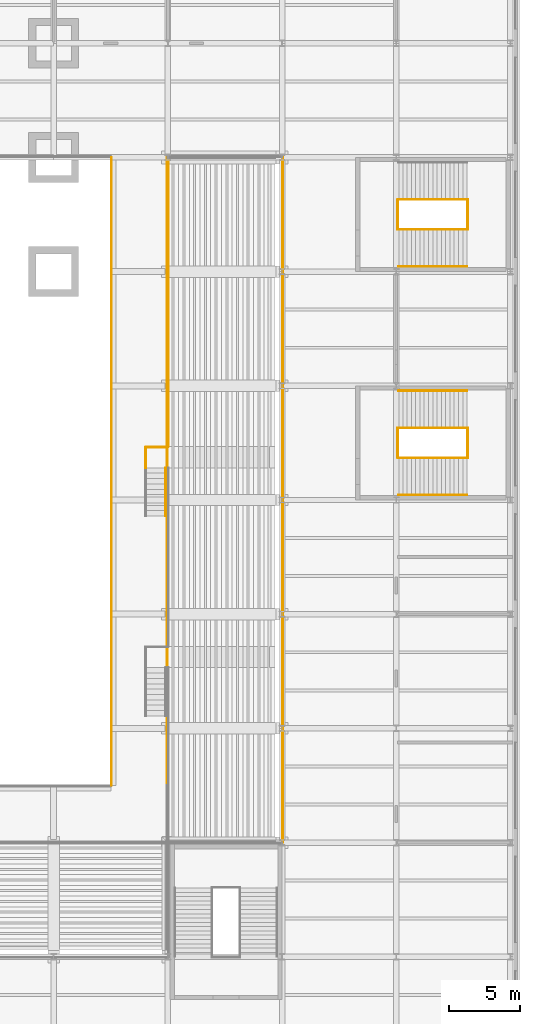
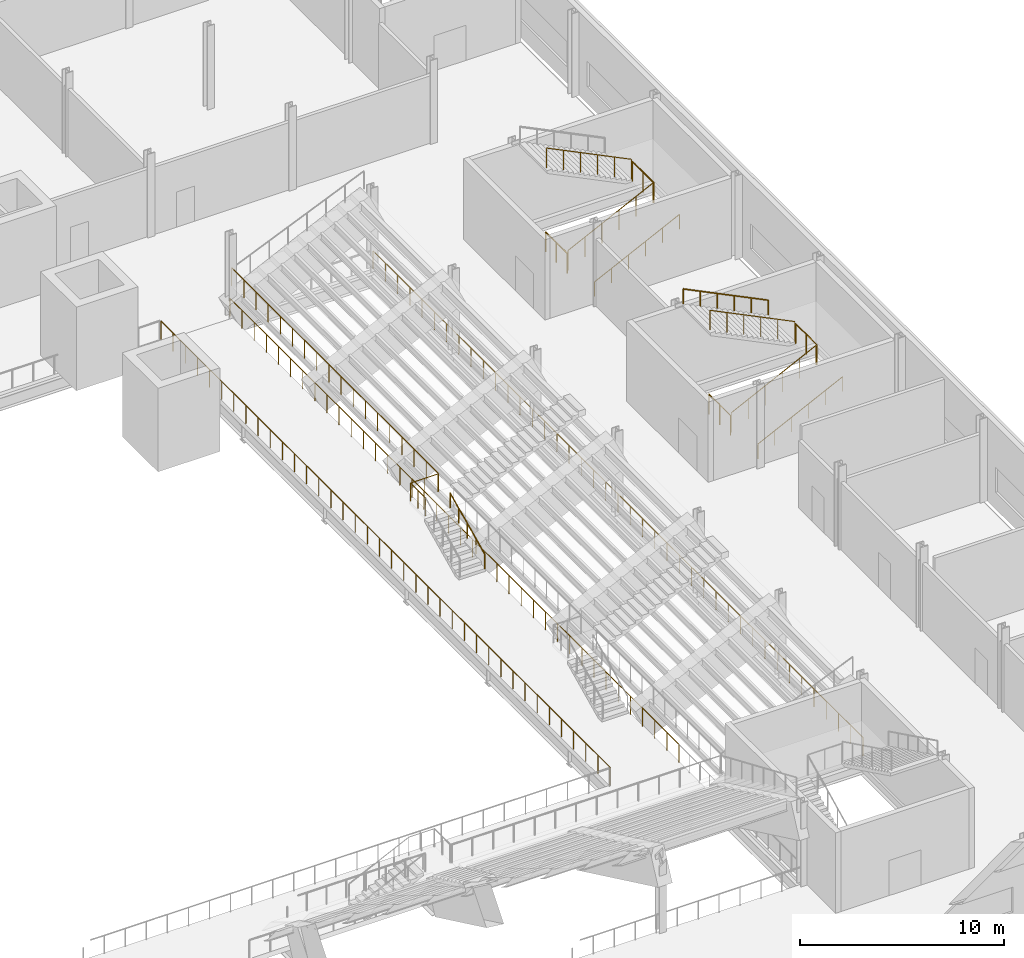
# One storey, part 24 of 27: 18 railings.
"""IFC4 building model written with IfcOpenShell, lengths in metres."""

from ifc_helpers import new_model, si_unit, direction, frame, origin, origin_2d, place, context, subcontext, project, spatial, circle, extrude, material, type_object, element, save


model = new_model("IFC4")

# Units and contexts
model_context = context("Model", 3, precision=1e-05, world=origin(), true_north=direction((0.0, 1.0)))
body_context = subcontext(model_context, "Body", "Model", "MODEL_VIEW")
ifc_project = project(units=[si_unit("LENGTHUNIT", "METRE"), si_unit("AREAUNIT", "SQUARE_METRE"), si_unit("VOLUMEUNIT", "CUBIC_METRE"), si_unit("PLANEANGLEUNIT", "RADIAN"), si_unit("MASSUNIT", "GRAM", prefix="KILO")], contexts=[model_context])

# Site, building, storey
site_placement = place(None, origin())
site = spatial("IfcSite", under=ifc_project, at=site_placement, CompositionType="ELEMENT")
building_placement = place(site_placement, origin())
building = spatial("IfcBuilding", under=site, at=building_placement, Name="Daluyong Arena Tower", CompositionType="ELEMENT")
storey_placement = place(building_placement, frame((0.0, 0.0, 14.89990234375)))
storey = spatial("IfcBuildingStorey", under=building, at=storey_placement, Name="L03", CompositionType="ELEMENT", Elevation=14.89990234375)

# Railings
ifc_material_1 = material(Name="Steel guard with glass infill", Category="steel")
railing_type_1 = type_object("IfcRailingType", Name="Bowl front guard 1100", PredefinedType="GUARDRAIL", material=ifc_material_1)
railing_1_placement = place(storey_placement, frame((88.050048828125, 43.75, 1.785888671875)))
element("IfcRailing", 1, at=railing_1_placement, inside=storey, type_object=railing_type_1, Name="bowl guard", PredefinedType="GUARDRAIL", context=body_context, shape_type="SweptSolid", body=[
    extrude(circle(Radius=0.02392578125, at=origin_2d()), frame((0.0, 0.0, 1.076171875), z_axis=(0.0, 1.0, 0.0), x_axis=(-1.0, 0.0, 0.0)), (0.0, 0.0, 1.0), 20.25),
    extrude(circle(Radius=0.02099609375, at=origin_2d()), origin(), (0.0, 0.0, 1.0), 1.052001953125),
    extrude(circle(Radius=0.02099609375, at=origin_2d()), frame((0.0, 1.191162109375, 0.0)), (0.0, 0.0, 1.0), 1.052001953125),
    extrude(circle(Radius=0.02099609375, at=origin_2d()), frame((0.0, 2.38232421875, 0.0)), (0.0, 0.0, 1.0), 1.052001953125),
    extrude(circle(Radius=0.02099609375, at=origin_2d()), frame((0.0, 3.573486328125, 0.0)), (0.0, 0.0, 1.0), 1.052001953125),
    extrude(circle(Radius=0.02099609375, at=origin_2d()), frame((0.0, 4.7646484375, 0.0)), (0.0, 0.0, 1.0), 1.052001953125),
    extrude(circle(Radius=0.02099609375, at=origin_2d()), frame((0.0, 5.955810546875, 0.0)), (0.0, 0.0, 1.0), 1.052001953125),
    extrude(circle(Radius=0.02099609375, at=origin_2d()), frame((0.0, 7.14697265625, 0.0)), (0.0, 0.0, 1.0), 1.052001953125),
    extrude(circle(Radius=0.02099609375, at=origin_2d()), frame((0.0, 8.338134765625, 0.0)), (0.0, 0.0, 1.0), 1.052001953125),
    extrude(circle(Radius=0.02099609375, at=origin_2d()), frame((0.0, 9.529296875, 0.0)), (0.0, 0.0, 1.0), 1.052001953125),
    extrude(circle(Radius=0.02099609375, at=origin_2d()), frame((0.0, 10.720703125, 0.0)), (0.0, 0.0, 1.0), 1.052001953125),
    extrude(circle(Radius=0.02099609375, at=origin_2d()), frame((0.0, 11.911865234375, 0.0)), (0.0, 0.0, 1.0), 1.052001953125),
    extrude(circle(Radius=0.02099609375, at=origin_2d()), frame((0.0, 13.10302734375, 0.0)), (0.0, 0.0, 1.0), 1.052001953125),
    extrude(circle(Radius=0.02099609375, at=origin_2d()), frame((0.0, 14.294189453125, 0.0)), (0.0, 0.0, 1.0), 1.052001953125),
    extrude(circle(Radius=0.02099609375, at=origin_2d()), frame((0.0, 15.4853515625, 0.0)), (0.0, 0.0, 1.0), 1.052001953125),
    extrude(circle(Radius=0.02099609375, at=origin_2d()), frame((0.0, 16.676513671875, 0.0)), (0.0, 0.0, 1.0), 1.052001953125),
    extrude(circle(Radius=0.02099609375, at=origin_2d()), frame((0.0, 17.86767578125, 0.0)), (0.0, 0.0, 1.0), 1.052001953125),
    extrude(circle(Radius=0.02099609375, at=origin_2d()), frame((0.0, 19.058837890625, 0.0)), (0.0, 0.0, 1.0), 1.052001953125),
    extrude(circle(Radius=0.02099609375, at=origin_2d()), frame((0.0, 20.25, 0.0)), (0.0, 0.0, 1.0), 1.052001953125),
])
ifc_material_2 = material(Name="Steel guard with glass infill", Category="steel")
railing_type_2 = type_object("IfcRailingType", Name="Floor edge guard 1100", PredefinedType="GUARDRAIL", material=ifc_material_2)
railing_2_placement = place(storey_placement, frame((87.949951171875, 20.0, 0.0)))
element("IfcRailing", 2, at=railing_2_placement, inside=storey, type_object=railing_type_2, Name="floor edge guard L03", PredefinedType="GUARDRAIL", context=body_context, shape_type="SweptSolid", body=[
    extrude(circle(Radius=0.02392578125, at=origin_2d()), frame((0.0, 0.0, 1.076171875), z_axis=(0.0, 1.0, 0.0), x_axis=(-1.0, 0.0, 0.0)), (0.0, 0.0, 1.0), 44.0),
    extrude(circle(Radius=0.02099609375, at=origin_2d()), origin(), (0.0, 0.0, 1.0), 1.052001953125),
    extrude(circle(Radius=0.02099609375, at=origin_2d()), frame((0.0, 1.189208984375, 0.0)), (0.0, 0.0, 1.0), 1.052001953125),
    extrude(circle(Radius=0.02099609375, at=origin_2d()), frame((0.0, 2.37841796875, 0.0)), (0.0, 0.0, 1.0), 1.052001953125),
    extrude(circle(Radius=0.02099609375, at=origin_2d()), frame((0.0, 3.567626953125, 0.0)), (0.0, 0.0, 1.0), 1.052001953125),
    extrude(circle(Radius=0.02099609375, at=origin_2d()), frame((0.0, 4.7568359375, 0.0)), (0.0, 0.0, 1.0), 1.052001953125),
    extrude(circle(Radius=0.02099609375, at=origin_2d()), frame((0.0, 5.946044921875, 0.0)), (0.0, 0.0, 1.0), 1.052001953125),
    extrude(circle(Radius=0.02099609375, at=origin_2d()), frame((0.0, 7.13525390625, 0.0)), (0.0, 0.0, 1.0), 1.052001953125),
    extrude(circle(Radius=0.02099609375, at=origin_2d()), frame((0.0, 8.32421875, 0.0)), (0.0, 0.0, 1.0), 1.052001953125),
    extrude(circle(Radius=0.02099609375, at=origin_2d()), frame((0.0, 9.513427734375, 0.0)), (0.0, 0.0, 1.0), 1.052001953125),
    extrude(circle(Radius=0.02099609375, at=origin_2d()), frame((0.0, 10.70263671875, 0.0)), (0.0, 0.0, 1.0), 1.052001953125),
    extrude(circle(Radius=0.02099609375, at=origin_2d()), frame((0.0, 11.891845703125, 0.0)), (0.0, 0.0, 1.0), 1.052001953125),
    extrude(circle(Radius=0.02099609375, at=origin_2d()), frame((0.0, 13.0810546875, 0.0)), (0.0, 0.0, 1.0), 1.052001953125),
    extrude(circle(Radius=0.02099609375, at=origin_2d()), frame((0.0, 14.270263671875, 0.0)), (0.0, 0.0, 1.0), 1.052001953125),
    extrude(circle(Radius=0.02099609375, at=origin_2d()), frame((0.0, 15.45947265625, 0.0)), (0.0, 0.0, 1.0), 1.052001953125),
    extrude(circle(Radius=0.02099609375, at=origin_2d()), frame((0.0, 16.648681640625, 0.0)), (0.0, 0.0, 1.0), 1.052001953125),
    extrude(circle(Radius=0.02099609375, at=origin_2d()), frame((0.0, 17.837890625, 0.0)), (0.0, 0.0, 1.0), 1.052001953125),
    extrude(circle(Radius=0.02099609375, at=origin_2d()), frame((0.0, 19.027099609375, 0.0)), (0.0, 0.0, 1.0), 1.052001953125),
    extrude(circle(Radius=0.02099609375, at=origin_2d()), frame((0.0, 20.21630859375, 0.0)), (0.0, 0.0, 1.0), 1.052001953125),
    extrude(circle(Radius=0.02099609375, at=origin_2d()), frame((0.0, 21.405517578125, 0.0)), (0.0, 0.0, 1.0), 1.052001953125),
    extrude(circle(Radius=0.02099609375, at=origin_2d()), frame((0.0, 22.594482421875, 0.0)), (0.0, 0.0, 1.0), 1.052001953125),
    extrude(circle(Radius=0.02099609375, at=origin_2d()), frame((0.0, 23.78369140625, 0.0)), (0.0, 0.0, 1.0), 1.052001953125),
    extrude(circle(Radius=0.02099609375, at=origin_2d()), frame((0.0, 24.972900390625, 0.0)), (0.0, 0.0, 1.0), 1.052001953125),
    extrude(circle(Radius=0.02099609375, at=origin_2d()), frame((0.0, 26.162109375, 0.0)), (0.0, 0.0, 1.0), 1.052001953125),
    extrude(circle(Radius=0.02099609375, at=origin_2d()), frame((0.0, 27.351318359375, 0.0)), (0.0, 0.0, 1.0), 1.052001953125),
    extrude(circle(Radius=0.02099609375, at=origin_2d()), frame((0.0, 28.54052734375, 0.0)), (0.0, 0.0, 1.0), 1.052001953125),
    extrude(circle(Radius=0.02099609375, at=origin_2d()), frame((0.0, 29.729736328125, 0.0)), (0.0, 0.0, 1.0), 1.052001953125),
    extrude(circle(Radius=0.02099609375, at=origin_2d()), frame((0.0, 30.9189453125, 0.0)), (0.0, 0.0, 1.0), 1.052001953125),
    extrude(circle(Radius=0.02099609375, at=origin_2d()), frame((0.0, 32.108154296875, 0.0)), (0.0, 0.0, 1.0), 1.052001953125),
    extrude(circle(Radius=0.02099609375, at=origin_2d()), frame((0.0, 33.29736328125, 0.0)), (0.0, 0.0, 1.0), 1.052001953125),
    extrude(circle(Radius=0.02099609375, at=origin_2d()), frame((0.0, 34.486572265625, 0.0)), (0.0, 0.0, 1.0), 1.052001953125),
    extrude(circle(Radius=0.02099609375, at=origin_2d()), frame((0.0, 35.67578125, 0.0)), (0.0, 0.0, 1.0), 1.052001953125),
    extrude(circle(Radius=0.02099609375, at=origin_2d()), frame((0.0, 36.86474609375, 0.0)), (0.0, 0.0, 1.0), 1.052001953125),
    extrude(circle(Radius=0.02099609375, at=origin_2d()), frame((0.0, 38.053955078125, 0.0)), (0.0, 0.0, 1.0), 1.052001953125),
    extrude(circle(Radius=0.02099609375, at=origin_2d()), frame((0.0, 39.2431640625, 0.0)), (0.0, 0.0, 1.0), 1.052001953125),
    extrude(circle(Radius=0.02099609375, at=origin_2d()), frame((0.0, 40.432373046875, 0.0)), (0.0, 0.0, 1.0), 1.052001953125),
    extrude(circle(Radius=0.02099609375, at=origin_2d()), frame((0.0, 41.62158203125, 0.0)), (0.0, 0.0, 1.0), 1.052001953125),
    extrude(circle(Radius=0.02099609375, at=origin_2d()), frame((0.0, 42.810791015625, 0.0)), (0.0, 0.0, 1.0), 1.052001953125),
    extrude(circle(Radius=0.02099609375, at=origin_2d()), frame((0.0, 44.0, 0.0)), (0.0, 0.0, 1.0), 1.052001953125),
])
railing_3_placement = place(storey_placement, frame((96.050048828125, 64.0, 0.0)))
element("IfcRailing", 3, at=railing_3_placement, inside=storey, type_object=railing_type_2, Name="floor edge guard L03", PredefinedType="GUARDRAIL", context=body_context, shape_type="SweptSolid", body=[
    extrude(circle(Radius=0.02392578125, at=origin_2d()), frame((0.0, 0.0, 1.076171875), z_axis=(0.0, -1.0, 0.0), x_axis=(1.0, 0.0, 0.0)), (0.0, 0.0, 1.0), 48.0),
    extrude(circle(Radius=0.02099609375, at=origin_2d()), origin(), (0.0, 0.0, 1.0), 1.052001953125),
    extrude(circle(Radius=0.02099609375, at=origin_2d()), frame((0.0, -1.199951171875, 0.0)), (0.0, 0.0, 1.0), 1.052001953125),
    extrude(circle(Radius=0.02099609375, at=origin_2d()), frame((0.0, -2.39990234375, 0.0)), (0.0, 0.0, 1.0), 1.052001953125),
    extrude(circle(Radius=0.02099609375, at=origin_2d()), frame((0.0, -3.60009765625, 0.0)), (0.0, 0.0, 1.0), 1.052001953125),
    extrude(circle(Radius=0.02099609375, at=origin_2d()), frame((0.0, -4.800048828125, 0.0)), (0.0, 0.0, 1.0), 1.052001953125),
    extrude(circle(Radius=0.02099609375, at=origin_2d()), frame((0.0, -6.0, 0.0)), (0.0, 0.0, 1.0), 1.052001953125),
    extrude(circle(Radius=0.02099609375, at=origin_2d()), frame((0.0, -7.199951171875, 0.0)), (0.0, 0.0, 1.0), 1.052001953125),
    extrude(circle(Radius=0.02099609375, at=origin_2d()), frame((0.0, -8.39990234375, 0.0)), (0.0, 0.0, 1.0), 1.052001953125),
    extrude(circle(Radius=0.02099609375, at=origin_2d()), frame((0.0, -9.60009765625, 0.0)), (0.0, 0.0, 1.0), 1.052001953125),
    extrude(circle(Radius=0.02099609375, at=origin_2d()), frame((0.0, -10.800048828125, 0.0)), (0.0, 0.0, 1.0), 1.052001953125),
    extrude(circle(Radius=0.02099609375, at=origin_2d()), frame((0.0, -12.0, 0.0)), (0.0, 0.0, 1.0), 1.052001953125),
    extrude(circle(Radius=0.02099609375, at=origin_2d()), frame((0.0, -13.199951171875, 0.0)), (0.0, 0.0, 1.0), 1.052001953125),
    extrude(circle(Radius=0.02099609375, at=origin_2d()), frame((0.0, -14.39990234375, 0.0)), (0.0, 0.0, 1.0), 1.052001953125),
    extrude(circle(Radius=0.02099609375, at=origin_2d()), frame((0.0, -15.60009765625, 0.0)), (0.0, 0.0, 1.0), 1.052001953125),
    extrude(circle(Radius=0.02099609375, at=origin_2d()), frame((0.0, -16.800048828125, 0.0)), (0.0, 0.0, 1.0), 1.052001953125),
    extrude(circle(Radius=0.02099609375, at=origin_2d()), frame((0.0, -18.0, 0.0)), (0.0, 0.0, 1.0), 1.052001953125),
    extrude(circle(Radius=0.02099609375, at=origin_2d()), frame((0.0, -19.199951171875, 0.0)), (0.0, 0.0, 1.0), 1.052001953125),
    extrude(circle(Radius=0.02099609375, at=origin_2d()), frame((0.0, -20.39990234375, 0.0)), (0.0, 0.0, 1.0), 1.052001953125),
    extrude(circle(Radius=0.02099609375, at=origin_2d()), frame((0.0, -21.60009765625, 0.0)), (0.0, 0.0, 1.0), 1.052001953125),
    extrude(circle(Radius=0.02099609375, at=origin_2d()), frame((0.0, -22.800048828125, 0.0)), (0.0, 0.0, 1.0), 1.052001953125),
    extrude(circle(Radius=0.02099609375, at=origin_2d()), frame((0.0, -24.0, 0.0)), (0.0, 0.0, 1.0), 1.052001953125),
    extrude(circle(Radius=0.02099609375, at=origin_2d()), frame((0.0, -25.199951171875, 0.0)), (0.0, 0.0, 1.0), 1.052001953125),
    extrude(circle(Radius=0.02099609375, at=origin_2d()), frame((0.0, -26.39990234375, 0.0)), (0.0, 0.0, 1.0), 1.052001953125),
    extrude(circle(Radius=0.02099609375, at=origin_2d()), frame((0.0, -27.60009765625, 0.0)), (0.0, 0.0, 1.0), 1.052001953125),
    extrude(circle(Radius=0.02099609375, at=origin_2d()), frame((0.0, -28.800048828125, 0.0)), (0.0, 0.0, 1.0), 1.052001953125),
    extrude(circle(Radius=0.02099609375, at=origin_2d()), frame((0.0, -30.0, 0.0)), (0.0, 0.0, 1.0), 1.052001953125),
    extrude(circle(Radius=0.02099609375, at=origin_2d()), frame((0.0, -31.199951171875, 0.0)), (0.0, 0.0, 1.0), 1.052001953125),
    extrude(circle(Radius=0.02099609375, at=origin_2d()), frame((0.0, -32.39990234375, 0.0)), (0.0, 0.0, 1.0), 1.052001953125),
    extrude(circle(Radius=0.02099609375, at=origin_2d()), frame((0.0, -33.60009765625, 0.0)), (0.0, 0.0, 1.0), 1.052001953125),
    extrude(circle(Radius=0.02099609375, at=origin_2d()), frame((0.0, -34.800048828125, 0.0)), (0.0, 0.0, 1.0), 1.052001953125),
    extrude(circle(Radius=0.02099609375, at=origin_2d()), frame((0.0, -36.0, 0.0)), (0.0, 0.0, 1.0), 1.052001953125),
    extrude(circle(Radius=0.02099609375, at=origin_2d()), frame((0.0, -37.199951171875, 0.0)), (0.0, 0.0, 1.0), 1.052001953125),
    extrude(circle(Radius=0.02099609375, at=origin_2d()), frame((0.0, -38.39990234375, 0.0)), (0.0, 0.0, 1.0), 1.052001953125),
    extrude(circle(Radius=0.02099609375, at=origin_2d()), frame((0.0, -39.60009765625, 0.0)), (0.0, 0.0, 1.0), 1.052001953125),
    extrude(circle(Radius=0.02099609375, at=origin_2d()), frame((0.0, -40.800048828125, 0.0)), (0.0, 0.0, 1.0), 1.052001953125),
    extrude(circle(Radius=0.02099609375, at=origin_2d()), frame((0.0, -42.0, 0.0)), (0.0, 0.0, 1.0), 1.052001953125),
    extrude(circle(Radius=0.02099609375, at=origin_2d()), frame((0.0, -43.199951171875, 0.0)), (0.0, 0.0, 1.0), 1.052001953125),
    extrude(circle(Radius=0.02099609375, at=origin_2d()), frame((0.0, -44.39990234375, 0.0)), (0.0, 0.0, 1.0), 1.052001953125),
    extrude(circle(Radius=0.02099609375, at=origin_2d()), frame((0.0, -45.60009765625, 0.0)), (0.0, 0.0, 1.0), 1.052001953125),
    extrude(circle(Radius=0.02099609375, at=origin_2d()), frame((0.0, -46.800048828125, 0.0)), (0.0, 0.0, 1.0), 1.052001953125),
    extrude(circle(Radius=0.02099609375, at=origin_2d()), frame((0.0, -48.0, 0.0)), (0.0, 0.0, 1.0), 1.052001953125),
])
railing_4_placement = place(storey_placement, frame((84.050048828125, 64.0, 0.0)))
element("IfcRailing", 4, at=railing_4_placement, inside=storey, type_object=railing_type_2, Name="floor edge guard L03", PredefinedType="GUARDRAIL", context=body_context, shape_type="SweptSolid", body=[
    extrude(circle(Radius=0.02392578125, at=origin_2d()), frame((0.0, 0.0, 1.076171875), z_axis=(0.0, -1.0, 0.0), x_axis=(1.0, 0.0, 0.0)), (0.0, 0.0, 1.0), 44.0),
    extrude(circle(Radius=0.02099609375, at=origin_2d()), origin(), (0.0, 0.0, 1.0), 1.052001953125),
    extrude(circle(Radius=0.02099609375, at=origin_2d()), frame((0.0, -1.189208984375, 0.0)), (0.0, 0.0, 1.0), 1.052001953125),
    extrude(circle(Radius=0.02099609375, at=origin_2d()), frame((0.0, -2.37841796875, 0.0)), (0.0, 0.0, 1.0), 1.052001953125),
    extrude(circle(Radius=0.02099609375, at=origin_2d()), frame((0.0, -3.567626953125, 0.0)), (0.0, 0.0, 1.0), 1.052001953125),
    extrude(circle(Radius=0.02099609375, at=origin_2d()), frame((0.0, -4.7568359375, 0.0)), (0.0, 0.0, 1.0), 1.052001953125),
    extrude(circle(Radius=0.02099609375, at=origin_2d()), frame((0.0, -5.946044921875, 0.0)), (0.0, 0.0, 1.0), 1.052001953125),
    extrude(circle(Radius=0.02099609375, at=origin_2d()), frame((0.0, -7.13525390625, 0.0)), (0.0, 0.0, 1.0), 1.052001953125),
    extrude(circle(Radius=0.02099609375, at=origin_2d()), frame((0.0, -8.32421875, 0.0)), (0.0, 0.0, 1.0), 1.052001953125),
    extrude(circle(Radius=0.02099609375, at=origin_2d()), frame((0.0, -9.513427734375, 0.0)), (0.0, 0.0, 1.0), 1.052001953125),
    extrude(circle(Radius=0.02099609375, at=origin_2d()), frame((0.0, -10.70263671875, 0.0)), (0.0, 0.0, 1.0), 1.052001953125),
    extrude(circle(Radius=0.02099609375, at=origin_2d()), frame((0.0, -11.891845703125, 0.0)), (0.0, 0.0, 1.0), 1.052001953125),
    extrude(circle(Radius=0.02099609375, at=origin_2d()), frame((0.0, -13.0810546875, 0.0)), (0.0, 0.0, 1.0), 1.052001953125),
    extrude(circle(Radius=0.02099609375, at=origin_2d()), frame((0.0, -14.270263671875, 0.0)), (0.0, 0.0, 1.0), 1.052001953125),
    extrude(circle(Radius=0.02099609375, at=origin_2d()), frame((0.0, -15.45947265625, 0.0)), (0.0, 0.0, 1.0), 1.052001953125),
    extrude(circle(Radius=0.02099609375, at=origin_2d()), frame((0.0, -16.648681640625, 0.0)), (0.0, 0.0, 1.0), 1.052001953125),
    extrude(circle(Radius=0.02099609375, at=origin_2d()), frame((0.0, -17.837890625, 0.0)), (0.0, 0.0, 1.0), 1.052001953125),
    extrude(circle(Radius=0.02099609375, at=origin_2d()), frame((0.0, -19.027099609375, 0.0)), (0.0, 0.0, 1.0), 1.052001953125),
    extrude(circle(Radius=0.02099609375, at=origin_2d()), frame((0.0, -20.21630859375, 0.0)), (0.0, 0.0, 1.0), 1.052001953125),
    extrude(circle(Radius=0.02099609375, at=origin_2d()), frame((0.0, -21.405517578125, 0.0)), (0.0, 0.0, 1.0), 1.052001953125),
    extrude(circle(Radius=0.02099609375, at=origin_2d()), frame((0.0, -22.594482421875, 0.0)), (0.0, 0.0, 1.0), 1.052001953125),
    extrude(circle(Radius=0.02099609375, at=origin_2d()), frame((0.0, -23.78369140625, 0.0)), (0.0, 0.0, 1.0), 1.052001953125),
    extrude(circle(Radius=0.02099609375, at=origin_2d()), frame((0.0, -24.972900390625, 0.0)), (0.0, 0.0, 1.0), 1.052001953125),
    extrude(circle(Radius=0.02099609375, at=origin_2d()), frame((0.0, -26.162109375, 0.0)), (0.0, 0.0, 1.0), 1.052001953125),
    extrude(circle(Radius=0.02099609375, at=origin_2d()), frame((0.0, -27.351318359375, 0.0)), (0.0, 0.0, 1.0), 1.052001953125),
    extrude(circle(Radius=0.02099609375, at=origin_2d()), frame((0.0, -28.54052734375, 0.0)), (0.0, 0.0, 1.0), 1.052001953125),
    extrude(circle(Radius=0.02099609375, at=origin_2d()), frame((0.0, -29.729736328125, 0.0)), (0.0, 0.0, 1.0), 1.052001953125),
    extrude(circle(Radius=0.02099609375, at=origin_2d()), frame((0.0, -30.9189453125, 0.0)), (0.0, 0.0, 1.0), 1.052001953125),
    extrude(circle(Radius=0.02099609375, at=origin_2d()), frame((0.0, -32.108154296875, 0.0)), (0.0, 0.0, 1.0), 1.052001953125),
    extrude(circle(Radius=0.02099609375, at=origin_2d()), frame((0.0, -33.29736328125, 0.0)), (0.0, 0.0, 1.0), 1.052001953125),
    extrude(circle(Radius=0.02099609375, at=origin_2d()), frame((0.0, -34.486572265625, 0.0)), (0.0, 0.0, 1.0), 1.052001953125),
    extrude(circle(Radius=0.02099609375, at=origin_2d()), frame((0.0, -35.67578125, 0.0)), (0.0, 0.0, 1.0), 1.052001953125),
    extrude(circle(Radius=0.02099609375, at=origin_2d()), frame((0.0, -36.86474609375, 0.0)), (0.0, 0.0, 1.0), 1.052001953125),
    extrude(circle(Radius=0.02099609375, at=origin_2d()), frame((0.0, -38.053955078125, 0.0)), (0.0, 0.0, 1.0), 1.052001953125),
    extrude(circle(Radius=0.02099609375, at=origin_2d()), frame((0.0, -39.2431640625, 0.0)), (0.0, 0.0, 1.0), 1.052001953125),
    extrude(circle(Radius=0.02099609375, at=origin_2d()), frame((0.0, -40.432373046875, 0.0)), (0.0, 0.0, 1.0), 1.052001953125),
    extrude(circle(Radius=0.02099609375, at=origin_2d()), frame((0.0, -41.62158203125, 0.0)), (0.0, 0.0, 1.0), 1.052001953125),
    extrude(circle(Radius=0.02099609375, at=origin_2d()), frame((0.0, -42.810791015625, 0.0)), (0.0, 0.0, 1.0), 1.052001953125),
    extrude(circle(Radius=0.02099609375, at=origin_2d()), frame((0.0, -44.0, 0.0)), (0.0, 0.0, 1.0), 1.052001953125),
])
ifc_material_3 = material(Name="Stainless steel handrail", Category="steel")
railing_type_3 = type_object("IfcRailingType", Name="Stair handrail", PredefinedType="HANDRAIL", material=ifc_material_3)
railing_5_placement = place(storey_placement, frame((104.159912109375, 40.35009765625, 0.147216796875)))
element("IfcRailing", 5, at=railing_5_placement, inside=storey, type_object=railing_type_3, Name="exit stair PS4 handrail L03", PredefinedType="HANDRAIL", context=body_context, shape_type="SweptSolid", body=[
    extrude(circle(Radius=0.02392578125, at=origin_2d()), frame((0.0, 0.0, 0.8759765625), z_axis=(0.89793417156, 0.0, 0.440129780343), x_axis=(0.0, 1.0, 0.0)), (0.0, 0.0, 1.0), 5.345703125),
    extrude(circle(Radius=0.02099609375, at=origin_2d()), origin(), (0.0, 0.0, 1.0), 0.851806640625),
    extrude(circle(Radius=0.02099609375, at=origin_2d()), frame((0.9599609375, 0.0, 0.470458984375)), (0.0, 0.0, 1.0), 0.851806640625),
    extrude(circle(Radius=0.02099609375, at=origin_2d()), frame((1.919921875, 0.0, 0.941162109375)), (0.0, 0.0, 1.0), 0.851806640625),
    extrude(circle(Radius=0.02099609375, at=origin_2d()), frame((2.880126953125, 0.0, 1.41162109375)), (0.0, 0.0, 1.0), 0.851806640625),
    extrude(circle(Radius=0.02099609375, at=origin_2d()), frame((3.840087890625, 0.0, 1.88232421875)), (0.0, 0.0, 1.0), 0.851806640625),
    extrude(circle(Radius=0.02099609375, at=origin_2d()), frame((4.800048828125, 0.0, 2.352783203125)), (0.0, 0.0, 1.0), 0.851806640625),
])
railing_6_placement = place(storey_placement, frame((108.9599609375, 47.64990234375, 2.647216796875)))
element("IfcRailing", 6, at=railing_6_placement, inside=storey, type_object=railing_type_3, Name="exit stair PS4 handrail L03", PredefinedType="HANDRAIL", context=body_context, shape_type="SweptSolid", body=[
    extrude(circle(Radius=0.02392578125, at=origin_2d()), frame((0.0, 0.0, 0.8759765625), z_axis=(-0.89793417156, 0.0, 0.440129780343), x_axis=(0.0, -1.0, 0.0)), (0.0, 0.0, 1.0), 5.345703125),
    extrude(circle(Radius=0.02099609375, at=origin_2d()), origin(), (0.0, 0.0, 1.0), 0.851806640625),
    extrude(circle(Radius=0.02099609375, at=origin_2d()), frame((-0.9599609375, 0.0, 0.470458984375)), (0.0, 0.0, 1.0), 0.851806640625),
    extrude(circle(Radius=0.02099609375, at=origin_2d()), frame((-1.919921875, 0.0, 0.941162109375)), (0.0, 0.0, 1.0), 0.851806640625),
    extrude(circle(Radius=0.02099609375, at=origin_2d()), frame((-2.880126953125, 0.0, 1.41162109375)), (0.0, 0.0, 1.0), 0.851806640625),
    extrude(circle(Radius=0.02099609375, at=origin_2d()), frame((-3.840087890625, 0.0, 1.88232421875)), (0.0, 0.0, 1.0), 0.851806640625),
    extrude(circle(Radius=0.02099609375, at=origin_2d()), frame((-4.800048828125, 0.0, 2.352783203125)), (0.0, 0.0, 1.0), 0.851806640625),
])
railing_7_placement = place(storey_placement, frame((104.159912109375, 56.35009765625, 0.147216796875)))
element("IfcRailing", 7, at=railing_7_placement, inside=storey, type_object=railing_type_3, Name="exit stair PS8 handrail L03", PredefinedType="HANDRAIL", context=body_context, shape_type="SweptSolid", body=[
    extrude(circle(Radius=0.02392578125, at=origin_2d()), frame((0.0, 0.0, 0.8759765625), z_axis=(0.89793417156, 0.0, 0.440129780343), x_axis=(0.0, 1.0, 0.0)), (0.0, 0.0, 1.0), 5.345703125),
    extrude(circle(Radius=0.02099609375, at=origin_2d()), origin(), (0.0, 0.0, 1.0), 0.851806640625),
    extrude(circle(Radius=0.02099609375, at=origin_2d()), frame((0.9599609375, 0.0, 0.470458984375)), (0.0, 0.0, 1.0), 0.851806640625),
    extrude(circle(Radius=0.02099609375, at=origin_2d()), frame((1.919921875, 0.0, 0.941162109375)), (0.0, 0.0, 1.0), 0.851806640625),
    extrude(circle(Radius=0.02099609375, at=origin_2d()), frame((2.880126953125, 0.0, 1.41162109375)), (0.0, 0.0, 1.0), 0.851806640625),
    extrude(circle(Radius=0.02099609375, at=origin_2d()), frame((3.840087890625, 0.0, 1.88232421875)), (0.0, 0.0, 1.0), 0.851806640625),
    extrude(circle(Radius=0.02099609375, at=origin_2d()), frame((4.800048828125, 0.0, 2.352783203125)), (0.0, 0.0, 1.0), 0.851806640625),
])
railing_8_placement = place(storey_placement, frame((87.85009765625, 38.875, 0.1787109375)))
element("IfcRailing", 8, at=railing_8_placement, inside=storey, type_object=railing_type_3, Name="upper bowl aisle stair handrail", PredefinedType="HANDRAIL", context=body_context, shape_type="SweptSolid", body=[
    extrude(circle(Radius=0.02392578125, at=origin_2d()), frame((0.0, 0.0, 0.8759765625), z_axis=(0.0, 0.902856897119, 0.42994118589), x_axis=(-1.0, 0.0, 0.0)), (0.0, 0.0, 1.0), 3.738037109375),
    extrude(circle(Radius=0.02099609375, at=origin_2d()), origin(), (0.0, 0.0, 1.0), 0.851806640625),
    extrude(circle(Radius=0.02099609375, at=origin_2d()), frame((0.0, 0.84375, 0.40185546875)), (0.0, 0.0, 1.0), 0.851806640625),
    extrude(circle(Radius=0.02099609375, at=origin_2d()), frame((0.0, 1.6875, 0.8037109375)), (0.0, 0.0, 1.0), 0.851806640625),
    extrude(circle(Radius=0.02099609375, at=origin_2d()), frame((0.0, 2.53125, 1.205322265625)), (0.0, 0.0, 1.0), 0.851806640625),
    extrude(circle(Radius=0.02099609375, at=origin_2d()), frame((0.0, 3.375, 1.607177734375)), (0.0, 0.0, 1.0), 0.851806640625),
])
ifc_material_4 = material(Name="Steel balustrade", Category="steel")
railing_type_4 = type_object("IfcRailingType", Name="Stair well guard 1100", PredefinedType="GUARDRAIL", material=ifc_material_4)
railing_9_placement = place(storey_placement, frame((86.449951171875, 42.25, 1.785888671875)))
element("IfcRailing", 9, at=railing_9_placement, inside=storey, type_object=railing_type_4, Name="upper bowl aisle stair guard", PredefinedType="GUARDRAIL", context=body_context, shape_type="SweptSolid", body=[
    extrude(circle(Radius=0.02392578125, at=origin_2d()), frame((0.0, 0.0, 1.076171875), z_axis=(0.0, 1.0, 0.0), x_axis=(-1.0, 0.0, 0.0)), (0.0, 0.0, 1.0), 1.449951171875),
    extrude(circle(Radius=0.02099609375, at=origin_2d()), origin(), (0.0, 0.0, 1.0), 1.052001953125),
    extrude(circle(Radius=0.02099609375, at=origin_2d()), frame((0.0, 0.72509765625, 0.0)), (0.0, 0.0, 1.0), 1.052001953125),
    extrude(circle(Radius=0.02099609375, at=origin_2d()), frame((0.0, 1.449951171875, 0.0)), (0.0, 0.0, 1.0), 1.052001953125),
])
railing_10_placement = place(storey_placement, frame((86.449951171875, 43.699951171875, 1.785888671875)))
element("IfcRailing", 10, at=railing_10_placement, inside=storey, type_object=railing_type_4, Name="upper bowl aisle stair guard", PredefinedType="GUARDRAIL", context=body_context, shape_type="SweptSolid", body=[
    extrude(circle(Radius=0.02392578125, at=origin_2d()), frame((0.0, 0.0, 1.076171875), z_axis=(1.0, 0.0, 0.0), x_axis=(0.0, 1.0, 0.0)), (0.0, 0.0, 1.0), 1.550048828125),
    extrude(circle(Radius=0.02099609375, at=origin_2d()), origin(), (0.0, 0.0, 1.0), 1.052001953125),
    extrude(circle(Radius=0.02099609375, at=origin_2d()), frame((0.77490234375, 0.0, 0.0)), (0.0, 0.0, 1.0), 1.052001953125),
    extrude(circle(Radius=0.02099609375, at=origin_2d()), frame((1.550048828125, 0.0, 0.0)), (0.0, 0.0, 1.0), 1.052001953125),
])
ifc_material_5 = material(Name="Steel balustrade", Category="steel")
railing_type_5 = type_object("IfcRailingType", Name="Stair well guard 1200", PredefinedType="GUARDRAIL", material=ifc_material_5)
railing_11_placement = place(storey_placement, frame((104.159912109375, 42.949951171875, 0.147216796875)))
element("IfcRailing", 11, at=railing_11_placement, inside=storey, type_object=railing_type_5, Name="exit stair PS4 well guard L03", PredefinedType="GUARDRAIL", context=body_context, shape_type="SweptSolid", body=[
    extrude(circle(Radius=0.02392578125, at=origin_2d()), frame((0.0, 0.0, 1.17578125), z_axis=(0.89793417156, 0.0, 0.440129780343), x_axis=(0.0, 1.0, 0.0)), (0.0, 0.0, 1.0), 5.345703125),
    extrude(circle(Radius=0.02099609375, at=origin_2d()), origin(), (0.0, 0.0, 1.0), 1.15185546875),
    extrude(circle(Radius=0.02099609375, at=origin_2d()), frame((0.9599609375, 0.0, 0.470458984375)), (0.0, 0.0, 1.0), 1.15185546875),
    extrude(circle(Radius=0.02099609375, at=origin_2d()), frame((1.919921875, 0.0, 0.941162109375)), (0.0, 0.0, 1.0), 1.15185546875),
    extrude(circle(Radius=0.02099609375, at=origin_2d()), frame((2.880126953125, 0.0, 1.41162109375)), (0.0, 0.0, 1.0), 1.15185546875),
    extrude(circle(Radius=0.02099609375, at=origin_2d()), frame((3.840087890625, 0.0, 1.88232421875)), (0.0, 0.0, 1.0), 1.15185546875),
    extrude(circle(Radius=0.02099609375, at=origin_2d()), frame((4.800048828125, 0.0, 2.352783203125)), (0.0, 0.0, 1.0), 1.15185546875),
])
railing_12_placement = place(storey_placement, frame((108.9599609375, 45.050048828125, 2.647216796875)))
element("IfcRailing", 12, at=railing_12_placement, inside=storey, type_object=railing_type_5, Name="exit stair PS4 well guard L03", PredefinedType="GUARDRAIL", context=body_context, shape_type="SweptSolid", body=[
    extrude(circle(Radius=0.02392578125, at=origin_2d()), frame((0.0, 0.0, 1.17578125), z_axis=(-0.89793417156, 0.0, 0.440129780343), x_axis=(0.0, -1.0, 0.0)), (0.0, 0.0, 1.0), 5.345703125),
    extrude(circle(Radius=0.02099609375, at=origin_2d()), origin(), (0.0, 0.0, 1.0), 1.15185546875),
    extrude(circle(Radius=0.02099609375, at=origin_2d()), frame((-0.9599609375, 0.0, 0.470458984375)), (0.0, 0.0, 1.0), 1.15185546875),
    extrude(circle(Radius=0.02099609375, at=origin_2d()), frame((-1.919921875, 0.0, 0.941162109375)), (0.0, 0.0, 1.0), 1.15185546875),
    extrude(circle(Radius=0.02099609375, at=origin_2d()), frame((-2.880126953125, 0.0, 1.41162109375)), (0.0, 0.0, 1.0), 1.15185546875),
    extrude(circle(Radius=0.02099609375, at=origin_2d()), frame((-3.840087890625, 0.0, 1.88232421875)), (0.0, 0.0, 1.0), 1.15185546875),
    extrude(circle(Radius=0.02099609375, at=origin_2d()), frame((-4.800048828125, 0.0, 2.352783203125)), (0.0, 0.0, 1.0), 1.15185546875),
])
for number, where, name in (
    (13, (109.010009765625, 42.949951171875, 2.5), "exit stair PS4 landing guard L03"),
    (14, (104.110107421875, 42.949951171875, 0.0), "exit stair PS4 floor landing guard L03"),
):
    element("IfcRailing", number, at=place(storey_placement, frame(where)), inside=storey, type_object=railing_type_5, Name=name, PredefinedType="GUARDRAIL", context=body_context, shape_type="SweptSolid", body=[
        extrude(circle(Radius=0.02392578125, at=origin_2d()), frame((0.0, 0.0, 1.17578125), z_axis=(0.0, 1.0, 0.0), x_axis=(-1.0, 0.0, 0.0)), (0.0, 0.0, 1.0), 2.10009765625),
        extrude(circle(Radius=0.02099609375, at=origin_2d()), origin(), (0.0, 0.0, 1.0), 1.15185546875),
        extrude(circle(Radius=0.02099609375, at=origin_2d()), frame((0.0, 1.050048828125, 0.0)), (0.0, 0.0, 1.0), 1.15185546875),
        extrude(circle(Radius=0.02099609375, at=origin_2d()), frame((0.0, 2.10009765625, 0.0)), (0.0, 0.0, 1.0), 1.15185546875),
    ])
railing_13_placement = place(storey_placement, frame((104.159912109375, 58.949951171875, 0.147216796875)))
element("IfcRailing", 15, at=railing_13_placement, inside=storey, type_object=railing_type_5, Name="exit stair PS8 well guard L03", PredefinedType="GUARDRAIL", context=body_context, shape_type="SweptSolid", body=[
    extrude(circle(Radius=0.02392578125, at=origin_2d()), frame((0.0, 0.0, 1.17578125), z_axis=(0.89793417156, 0.0, 0.440129780343), x_axis=(0.0, 1.0, 0.0)), (0.0, 0.0, 1.0), 5.345703125),
    extrude(circle(Radius=0.02099609375, at=origin_2d()), origin(), (0.0, 0.0, 1.0), 1.15185546875),
    extrude(circle(Radius=0.02099609375, at=origin_2d()), frame((0.9599609375, 0.0, 0.470458984375)), (0.0, 0.0, 1.0), 1.15185546875),
    extrude(circle(Radius=0.02099609375, at=origin_2d()), frame((1.919921875, 0.0, 0.941162109375)), (0.0, 0.0, 1.0), 1.15185546875),
    extrude(circle(Radius=0.02099609375, at=origin_2d()), frame((2.880126953125, 0.0, 1.41162109375)), (0.0, 0.0, 1.0), 1.15185546875),
    extrude(circle(Radius=0.02099609375, at=origin_2d()), frame((3.840087890625, 0.0, 1.88232421875)), (0.0, 0.0, 1.0), 1.15185546875),
    extrude(circle(Radius=0.02099609375, at=origin_2d()), frame((4.800048828125, 0.0, 2.352783203125)), (0.0, 0.0, 1.0), 1.15185546875),
])
railing_14_placement = place(storey_placement, frame((108.9599609375, 61.050048828125, 2.647216796875)))
element("IfcRailing", 16, at=railing_14_placement, inside=storey, type_object=railing_type_5, Name="exit stair PS8 well guard L03", PredefinedType="GUARDRAIL", context=body_context, shape_type="SweptSolid", body=[
    extrude(circle(Radius=0.02392578125, at=origin_2d()), frame((0.0, 0.0, 1.17578125), z_axis=(-0.89793417156, 0.0, 0.440129780343), x_axis=(0.0, -1.0, 0.0)), (0.0, 0.0, 1.0), 5.345703125),
    extrude(circle(Radius=0.02099609375, at=origin_2d()), origin(), (0.0, 0.0, 1.0), 1.15185546875),
    extrude(circle(Radius=0.02099609375, at=origin_2d()), frame((-0.9599609375, 0.0, 0.470458984375)), (0.0, 0.0, 1.0), 1.15185546875),
    extrude(circle(Radius=0.02099609375, at=origin_2d()), frame((-1.919921875, 0.0, 0.941162109375)), (0.0, 0.0, 1.0), 1.15185546875),
    extrude(circle(Radius=0.02099609375, at=origin_2d()), frame((-2.880126953125, 0.0, 1.41162109375)), (0.0, 0.0, 1.0), 1.15185546875),
    extrude(circle(Radius=0.02099609375, at=origin_2d()), frame((-3.840087890625, 0.0, 1.88232421875)), (0.0, 0.0, 1.0), 1.15185546875),
    extrude(circle(Radius=0.02099609375, at=origin_2d()), frame((-4.800048828125, 0.0, 2.352783203125)), (0.0, 0.0, 1.0), 1.15185546875),
])
for number, where, name in (
    (17, (109.010009765625, 58.949951171875, 2.5), "exit stair PS8 landing guard L03"),
    (18, (104.110107421875, 58.949951171875, 0.0), "exit stair PS8 floor landing guard L03"),
):
    element("IfcRailing", number, at=place(storey_placement, frame(where)), inside=storey, type_object=railing_type_5, Name=name, PredefinedType="GUARDRAIL", context=body_context, shape_type="SweptSolid", body=[
        extrude(circle(Radius=0.02392578125, at=origin_2d()), frame((0.0, 0.0, 1.17578125), z_axis=(0.0, 1.0, 0.0), x_axis=(-1.0, 0.0, 0.0)), (0.0, 0.0, 1.0), 2.10009765625),
        extrude(circle(Radius=0.02099609375, at=origin_2d()), origin(), (0.0, 0.0, 1.0), 1.15185546875),
        extrude(circle(Radius=0.02099609375, at=origin_2d()), frame((0.0, 1.050048828125, 0.0)), (0.0, 0.0, 1.0), 1.15185546875),
        extrude(circle(Radius=0.02099609375, at=origin_2d()), frame((0.0, 2.10009765625, 0.0)), (0.0, 0.0, 1.0), 1.15185546875),
    ])

save(model, "model.ifc")
